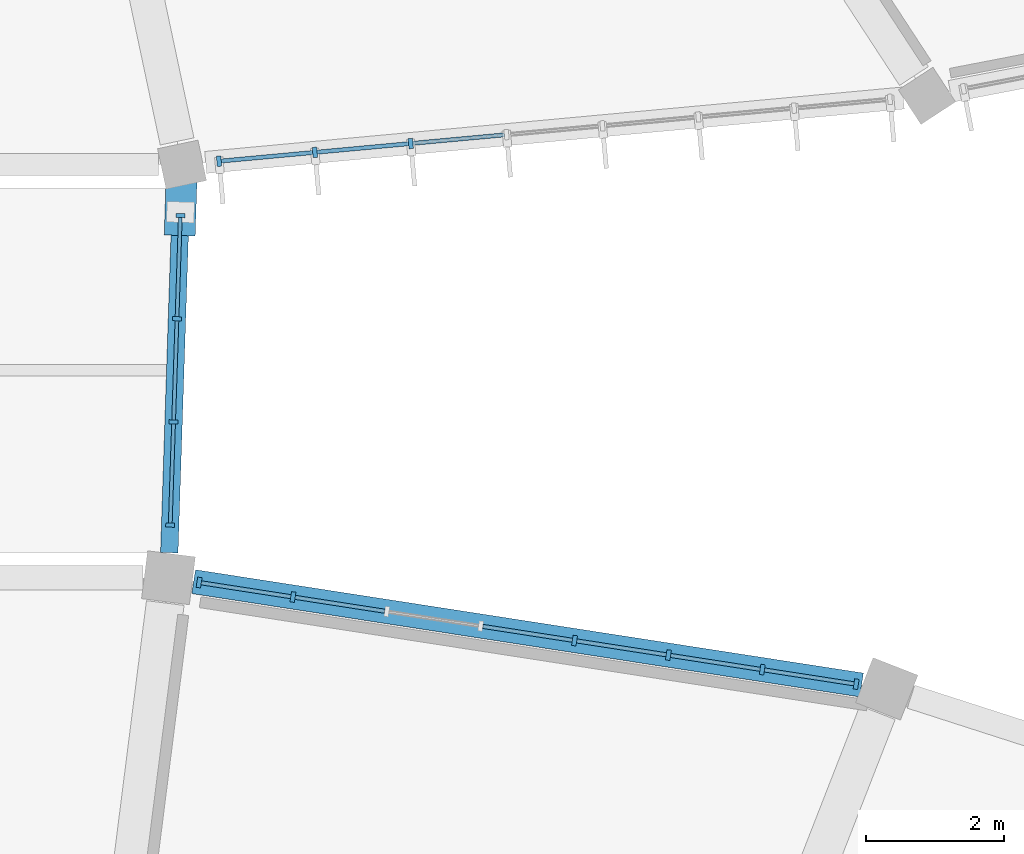
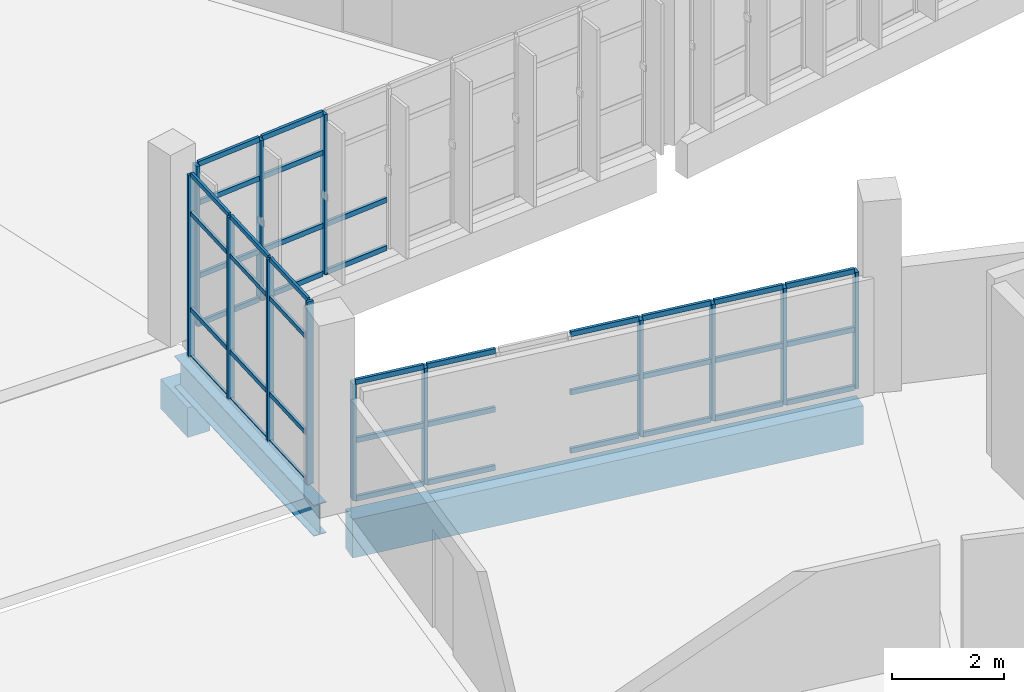
# One storey, part 34 of 142: 53 members, 3 beams, 3 elements without a shape of their own.
"""IFC4 building model written with IfcOpenShell, lengths in metres."""

import ifcopenshell
import ifcopenshell.guid

model = None  # the IFC model being written
_history = None  # IfcOwnerHistory: only IFC2X3 demands one
_inside = {}  # id of a spatial element -> (the spatial element, [elements in it])
_under = {}  # id of a project, library or spatial element -> (it, [spatial elements below it])
_declared = {}  # id of a project -> (the project, [libraries it declares])
_typed = {}  # id of a type object -> (the type object, [elements of that type])
_made_of = {}  # id of a material, layer set ... -> (it, [elements and type objects made of it])


def new_model(schema):
    """Start an empty IFC model of exactly this schema.

    Asked for "IFC4X3", IfcOpenShell would pick the latest addendum, in which some entities
    have other attributes; the version numbers below select the first issue.
    IFC2X3 requires an IfcOwnerHistory on every rooted entity: one is made here for all.
    """
    global model, _history
    if schema == "IFC4X3":
        model = ifcopenshell.file(schema_version=(4, 3, 0, 0))
    else:
        model = ifcopenshell.file(schema=schema)
    _inside.clear()
    _under.clear()
    _declared.clear()
    _typed.clear()
    _made_of.clear()
    _history = None
    if model.schema == "IFC2X3":
        org = make("IfcOrganization", Name="unknown")
        user = make(
            "IfcPersonAndOrganization",
            ThePerson=make("IfcPerson", FamilyName="unknown"),
            TheOrganization=org,
        )
        app = make(
            "IfcApplication",
            ApplicationDeveloper=org,
            Version="unknown",
            ApplicationFullName="unknown",
            ApplicationIdentifier="unknown",
        )
        _history = make(
            "IfcOwnerHistory",
            OwningUser=user,
            OwningApplication=app,
            ChangeAction="ADDED",
            CreationDate=0,
        )
    return model


def make(cls, **values):
    """One entity of the class cls with the attributes given. An attribute that is None is left unset."""
    return model.create_entity(
        cls, **{name: value for name, value in values.items() if value is not None}
    )


def rooted(cls, **values):
    """An entity with a GlobalId (a new one), such as an element, a storey or a relation."""
    return make(cls, GlobalId=ifcopenshell.guid.new(), OwnerHistory=_history, **values)


def si_unit(unit_type, name, prefix=None):
    """IfcSIUnit, for example si_unit("LENGTHUNIT", "METRE", prefix="MILLI")."""
    return make("IfcSIUnit", UnitType=unit_type, Prefix=prefix, Name=name)


def assignment(units):
    """IfcUnitAssignment: the units of a project."""
    return None if units is None else make("IfcUnitAssignment", Units=units)


def point(xyz):
    """IfcCartesianPoint."""
    return None if xyz is None else make("IfcCartesianPoint", Coordinates=xyz)


def direction(xyz):
    """IfcDirection."""
    return None if xyz is None else make("IfcDirection", DirectionRatios=xyz)


def frame(location, z_axis=None, x_axis=None):
    """IfcAxis2Placement3D, a coordinate frame: its origin and axes. An axis left out is left unset."""
    return make(
        "IfcAxis2Placement3D",
        Location=point(location),
        Axis=direction(z_axis),
        RefDirection=direction(x_axis),
    )


def frame_2d(location, x_axis=None):
    """IfcAxis2Placement2D, a coordinate frame in the plane: its origin and x axis."""
    return make(
        "IfcAxis2Placement2D", Location=point(location), RefDirection=direction(x_axis)
    )


def origin():
    """The frame at (0, 0, 0) with its axes left unset."""
    return frame((0.0, 0.0, 0.0))


def origin_2d():
    """The frame at (0, 0) in the plane with its x axis left unset."""
    return frame_2d((0.0, 0.0))


def place(relative_to, where):
    """IfcLocalPlacement: puts the frame where relative to a parent placement (None: the world)."""
    return make(
        "IfcLocalPlacement", PlacementRelTo=relative_to, RelativePlacement=where
    )


def context(
    kind, dimensions, precision=None, world=None, true_north=None, identifier=None
):
    """IfcGeometricRepresentationContext, for example the 3D "Model" context."""
    return make(
        "IfcGeometricRepresentationContext",
        ContextIdentifier=identifier,
        ContextType=kind,
        CoordinateSpaceDimension=dimensions,
        Precision=precision,
        WorldCoordinateSystem=world,
        TrueNorth=true_north,
    )


def subcontext(parent, identifier, kind, view, scale=None):
    """IfcGeometricRepresentationSubContext, for example "Body" below "Model"."""
    return make(
        "IfcGeometricRepresentationSubContext",
        ContextIdentifier=identifier,
        ContextType=kind,
        ParentContext=parent,
        TargetScale=scale,
        TargetView=view,
    )


def project(units=None, contexts=None):
    """IfcProject with its units and contexts."""
    return rooted(
        "IfcProject",
        Name="project",
        RepresentationContexts=contexts,
        UnitsInContext=assignment(units),
    )


def spatial(cls, under=None, at=None, **own):
    """A site, building, storey or space (cls), placed at a placement, below another one or the project."""
    s = rooted(cls, ObjectPlacement=at, **own)
    if under is not None:
        _under.setdefault(under.id(), (under, []))[1].append(s)
    return s


def profile(cls, at=None, kind="AREA", **sizes):
    """A parametric profile (cls). Its sizes go by their IFC names, for example OverallWidth=200.0."""
    return make(cls, ProfileType=kind, Position=at, **sizes)


def rectangle(**sizes):
    """IfcRectangleProfileDef."""
    return profile("IfcRectangleProfileDef", **sizes)


def i_section(**sizes):
    """IfcIShapeProfileDef."""
    return profile("IfcIShapeProfileDef", **sizes)


def extrude(swept, where, along, depth):
    """IfcExtrudedAreaSolid: the profile swept, set in the frame where, extruded along a direction by depth."""
    return make(
        "IfcExtrudedAreaSolid",
        SweptArea=swept,
        Position=where,
        ExtrudedDirection=direction(along),
        Depth=depth,
    )


def shape(context_of_items, identifier, shape_type, items):
    """IfcShapeRepresentation: the items that make up one representation, for example the "Body"."""
    return make(
        "IfcShapeRepresentation",
        ContextOfItems=context_of_items,
        RepresentationIdentifier=identifier,
        RepresentationType=shape_type,
        Items=items,
    )


def material(Name=None, Category=None):
    """IfcMaterial."""
    return make("IfcMaterial", Name=Name, Category=Category)


def layer(
    of_material, thickness, ventilated=None, Name=None, Category=None, Priority=None
):
    """IfcMaterialLayer: one layer of a wall or slab, of a material (None: an air gap)."""
    return make(
        "IfcMaterialLayer",
        Material=of_material,
        LayerThickness=thickness,
        IsVentilated=ventilated,
        Name=Name,
        Category=Category,
        Priority=Priority,
    )


def layer_set(layers, Name=None):
    """IfcMaterialLayerSet."""
    return make("IfcMaterialLayerSet", MaterialLayers=layers, LayerSetName=Name)


def material_profile(
    of_material, cross_section, Name=None, Category=None, Priority=None
):
    """IfcMaterialProfile: a cross section and its material."""
    return make(
        "IfcMaterialProfile",
        Name=Name,
        Material=of_material,
        Profile=cross_section,
        Priority=Priority,
        Category=Category,
    )


def profile_set(profiles, Name=None, composite=None):
    """IfcMaterialProfileSet."""
    return make(
        "IfcMaterialProfileSet",
        Name=Name,
        MaterialProfiles=profiles,
        CompositeProfile=composite,
    )


def made_of(thing, what):
    """Note that an element or type object is made of a material, layer set ...; save() writes the relation."""
    if what is not None:
        _made_of.setdefault(what.id(), (what, []))[1].append(thing)
    return thing


def type_object(cls, material=None, **own):
    """A type object (cls), such as IfcWallType, which elements share."""
    return made_of(rooted(cls, **own), material)


def element(
    cls,
    number,
    at=None,
    inside=None,
    cuts=None,
    type_object=None,
    material=None,
    context=None,
    identifier="Body",
    shape_type=None,
    held_by="IfcProductDefinitionShape",
    body=None,
    shapes=None,
    **own,
):
    """One element of the class cls, such as IfcWall. Its Tag is "e" and its number.

    at: its placement. inside: the storey or other place that contains it. cuts: it is an
    opening in that element (IfcRelVoidsElement). A single representation is given by context,
    identifier, shape_type and body (its items); several are given by shapes. held_by: the class
    of the entity that holds the representations. save() writes the other relations.
    """
    e = rooted(cls, Tag="e%d" % number, ObjectPlacement=at, **own)
    if body is not None:
        shapes = [shape(context, identifier, shape_type, body)]
    if shapes is not None:
        e.Representation = make(held_by, Representations=shapes)
    if inside is not None:
        _inside.setdefault(inside.id(), (inside, []))[1].append(e)
    if cuts is not None:
        rooted(
            "IfcRelVoidsElement", RelatingBuildingElement=cuts, RelatedOpeningElement=e
        )
    if type_object is not None:
        _typed.setdefault(type_object.id(), (type_object, []))[1].append(e)
    return made_of(e, material)


def aggregate(whole, parts):
    """IfcRelAggregates: a whole, such as a stair, and the parts it consists of."""
    return rooted("IfcRelAggregates", RelatingObject=whole, RelatedObjects=parts)


def save(model, path):
    """Write the relations noted so far, then the file.

    IfcRelAggregates (storeys below a building ...), IfcRelContainedInSpatialStructure (elements
    in a storey), IfcRelDefinesByType, IfcRelAssociatesMaterial and IfcRelDeclares: one each for
    every whole, place, type object, material and project.
    """
    for whole, parts in _under.values():
        aggregate(whole, parts)
    for where, things in _inside.values():
        rooted(
            "IfcRelContainedInSpatialStructure",
            RelatedElements=things,
            RelatingStructure=where,
        )
    for kind, things in _typed.values():
        rooted("IfcRelDefinesByType", RelatedObjects=things, RelatingType=kind)
    for what, things in _made_of.values():
        rooted("IfcRelAssociatesMaterial", RelatedObjects=things, RelatingMaterial=what)
    for by, libraries in _declared.values():
        rooted("IfcRelDeclares", RelatingContext=by, RelatedDefinitions=libraries)
    model.write(path)


model = new_model("IFC4")

# Units and contexts
model_context = context("Model", 3, precision=1e-05, world=origin(), true_north=direction((0.0, 1.0)))
body_context = subcontext(model_context, "Body", "Model", "MODEL_VIEW")
ifc_project = project(units=[si_unit("LENGTHUNIT", "METRE"), si_unit("AREAUNIT", "SQUARE_METRE"), si_unit("VOLUMEUNIT", "CUBIC_METRE"), si_unit("PLANEANGLEUNIT", "RADIAN"), si_unit("MASSUNIT", "GRAM", prefix="KILO")], contexts=[model_context])

# Site, building, storey
site_placement = place(None, origin())
site = spatial("IfcSite", under=ifc_project, at=site_placement, CompositionType="ELEMENT")
building_placement = place(site_placement, origin())
building = spatial("IfcBuilding", under=site, at=building_placement, Name="Corvandel Quay Wholesale Market", CompositionType="ELEMENT")
storey_placement = place(building_placement, frame((0.0, 0.0, 10.800048828125)))
storey = spatial("IfcBuildingStorey", under=building, at=storey_placement, Name="L02", CompositionType="ELEMENT", Elevation=10.800048828125)

# Beam
ifc_material_1 = material(Name="Steel A992 Grade 50", Category="steel")
ifc_material_profile_1 = material_profile(ifc_material_1, i_section(OverallWidth=0.25390625, OverallDepth=0.68310546875, WebThickness=0.012451171875, FlangeThickness=0.018798828125, at=origin_2d()), Name="W27X94")
ifc_profile_set_1 = profile_set([ifc_material_profile_1], Name="Steel A992 Grade 50")
beam_type_1 = type_object("IfcBeamType", Name="Bridge Link Steel Girder SG01 W27X94", PredefinedType="USERDEFINED", material=ifc_profile_set_1)
beam_1_placement = place(storey_placement, frame((119.3310546875, 84.36474609375, -0.5615234375), z_axis=(0.032808515394, 0.999461655752, 0.0), x_axis=(-0.999461655752, 0.032808515394, 0.0)))
element("IfcBeam", 1, at=beam_1_placement, inside=storey, type_object=beam_type_1, Name="Beam BM-1769", ObjectType="GIRDER", PredefinedType="USERDEFINED", context=body_context, shape_type="SweptSolid", body=[
    extrude(i_section(OverallWidth=0.25390625, OverallDepth=0.68310546875, WebThickness=0.012451171875, FlangeThickness=0.018798828125, at=origin_2d()), origin(), (0.0, 0.0, 1.0), 5.29833984375),
])

# Curtain wall, members
ifc_material_2 = material(Name="Bronze anodised aluminium and low-E insulated glazing", Category="aluminium")
ifc_layer_1 = layer(ifc_material_2, 0.197998046875)
ifc_layer_set_1 = layer_set([ifc_layer_1], Name="Bronze anodised aluminium and low-E insulated glazing")
curtain_wall_type_1 = type_object("IfcCurtainWallType", Name="Stick Curtain Wall System CW24 H5160", PredefinedType="NOTDEFINED", material=ifc_layer_set_1)
curtain_wall_1_placement = place(storey_placement, origin())
curtain_wall_1 = element("IfcCurtainWall", 2, at=curtain_wall_1_placement, inside=storey, type_object=curtain_wall_type_1, Name="Curtain Wall CW-0171", PredefinedType="NOTDEFINED")
ifc_material_3 = material(Name="Anodised aluminium 6063-T6", Category="aluminium")
ifc_material_profile_2 = material_profile(ifc_material_3, rectangle(XDim=0.06005859375, YDim=0.1298828125, at=origin_2d()), Name="ALU-MUL-60x130")
ifc_profile_set_2 = profile_set([ifc_material_profile_2], Name="Anodised aluminium 6063-T6")
member_type_1 = type_object("IfcMemberType", Name="Clerestory Mullion ML03 60x130", PredefinedType="MULLION", material=ifc_profile_set_2)
member_1_placement = place(storey_placement, frame((119.343994140625, 84.7646484375, -0.030029296875), z_axis=(0.0, 0.0, 1.0), x_axis=(0.032806302436, 0.999461728392, 0.0)))
member_1 = element("IfcMember", 3, at=member_1_placement, type_object=member_type_1, Name="Mullion CW-0171-M00", PredefinedType="MULLION", context=body_context, shape_type="SweptSolid", body=[
    extrude(rectangle(XDim=0.06005859375, YDim=0.1298828125, at=origin_2d()), origin(), (0.0, 0.0, 1.0), 4.0),
])
member_2_placement = place(storey_placement, frame((119.393310546875, 86.26318359375, -0.030029296875), z_axis=(0.0, 0.0, 1.0), x_axis=(0.032806302436, 0.999461728392, 0.0)))
member_2 = element("IfcMember", 4, at=member_2_placement, type_object=member_type_1, Name="Mullion CW-0171-M01", PredefinedType="MULLION", context=body_context, shape_type="SweptSolid", body=[
    extrude(rectangle(XDim=0.06005859375, YDim=0.1298828125, at=origin_2d()), origin(), (0.0, 0.0, 1.0), 4.0),
])
member_3_placement = place(storey_placement, frame((119.4423828125, 87.76171875, -0.030029296875), z_axis=(0.0, 0.0, 1.0), x_axis=(0.032806302436, 0.999461728392, 0.0)))
member_3 = element("IfcMember", 5, at=member_3_placement, type_object=member_type_1, Name="Mullion CW-0171-M02", PredefinedType="MULLION", context=body_context, shape_type="SweptSolid", body=[
    extrude(rectangle(XDim=0.06005859375, YDim=0.1298828125, at=origin_2d()), origin(), (0.0, 0.0, 1.0), 4.0),
])
member_4_placement = place(storey_placement, frame((119.49169921875, 89.260498046875, -0.030029296875), z_axis=(0.0, 0.0, 1.0), x_axis=(0.032806302436, 0.999461728392, 0.0)))
member_4 = element("IfcMember", 6, at=member_4_placement, type_object=member_type_1, Name="Mullion CW-0171-M03", PredefinedType="MULLION", context=body_context, shape_type="SweptSolid", body=[
    extrude(rectangle(XDim=0.06005859375, YDim=0.1298828125, at=origin_2d()), origin(), (0.0, 0.0, 1.0), 4.0),
])
ifc_material_profile_3 = material_profile(ifc_material_3, rectangle(XDim=0.054931640625, YDim=0.094970703125, at=origin_2d()), Name="ALU-TRN-55x95")
ifc_profile_set_3 = profile_set([ifc_material_profile_3], Name="Anodised aluminium 6063-T6")
member_type_2 = type_object("IfcMemberType", Name="Clerestory Transom TR03 55x95", PredefinedType="USERDEFINED", material=ifc_profile_set_3)
member_5_placement = place(storey_placement, frame((119.34521484375, 84.794677734375, -0.030029296875), z_axis=(0.032738720515, 0.999463944412, 0.0), x_axis=(-0.999463944412, 0.032738720515, 0.0)))
member_5 = element("IfcMember", 7, at=member_5_placement, type_object=member_type_2, Name="Transom CW-0171-T00-0", ObjectType="TRANSOM", PredefinedType="USERDEFINED", context=body_context, shape_type="SweptSolid", body=[
    extrude(rectangle(XDim=0.054931640625, YDim=0.094970703125, at=origin_2d()), origin(), (0.0, 0.0, 1.0), 1.439208984375),
])
member_6_placement = place(storey_placement, frame((119.34521484375, 84.794677734375, 1.02001953125), z_axis=(0.032738720515, 0.999463944412, 0.0), x_axis=(-0.999463944412, 0.032738720515, 0.0)))
member_6 = element("IfcMember", 8, at=member_6_placement, type_object=member_type_2, Name="Transom CW-0171-T00-1", ObjectType="TRANSOM", PredefinedType="USERDEFINED", context=body_context, shape_type="SweptSolid", body=[
    extrude(rectangle(XDim=0.054931640625, YDim=0.094970703125, at=origin_2d()), origin(), (0.0, 0.0, 1.0), 1.439208984375),
])
member_7_placement = place(storey_placement, frame((119.34521484375, 84.794677734375, 3.119873046875), z_axis=(0.032738720515, 0.999463944412, 0.0), x_axis=(-0.999463944412, 0.032738720515, 0.0)))
member_7 = element("IfcMember", 9, at=member_7_placement, type_object=member_type_2, Name="Transom CW-0171-T00-2", ObjectType="TRANSOM", PredefinedType="USERDEFINED", context=body_context, shape_type="SweptSolid", body=[
    extrude(rectangle(XDim=0.054931640625, YDim=0.094970703125, at=origin_2d()), origin(), (0.0, 0.0, 1.0), 1.439208984375),
])
member_8_placement = place(storey_placement, frame((119.34521484375, 84.794677734375, 3.969970703125), z_axis=(0.032738720515, 0.999463944412, 0.0), x_axis=(-0.999463944412, 0.032738720515, 0.0)))
member_8 = element("IfcMember", 10, at=member_8_placement, type_object=member_type_2, Name="Transom CW-0171-T00-3", ObjectType="TRANSOM", PredefinedType="USERDEFINED", context=body_context, shape_type="SweptSolid", body=[
    extrude(rectangle(XDim=0.054931640625, YDim=0.094970703125, at=origin_2d()), origin(), (0.0, 0.0, 1.0), 1.439208984375),
])
member_9_placement = place(storey_placement, frame((119.394287109375, 86.293212890625, -0.030029296875), z_axis=(0.032738720515, 0.999463944412, 0.0), x_axis=(-0.999463944412, 0.032738720515, 0.0)))
member_9 = element("IfcMember", 11, at=member_9_placement, type_object=member_type_2, Name="Transom CW-0171-T01-0", ObjectType="TRANSOM", PredefinedType="USERDEFINED", context=body_context, shape_type="SweptSolid", body=[
    extrude(rectangle(XDim=0.054931640625, YDim=0.094970703125, at=origin_2d()), origin(), (0.0, 0.0, 1.0), 1.439208984375),
])
member_10_placement = place(storey_placement, frame((119.394287109375, 86.293212890625, 1.02001953125), z_axis=(0.032738720515, 0.999463944412, 0.0), x_axis=(-0.999463944412, 0.032738720515, 0.0)))
member_10 = element("IfcMember", 12, at=member_10_placement, type_object=member_type_2, Name="Transom CW-0171-T01-1", ObjectType="TRANSOM", PredefinedType="USERDEFINED", context=body_context, shape_type="SweptSolid", body=[
    extrude(rectangle(XDim=0.054931640625, YDim=0.094970703125, at=origin_2d()), origin(), (0.0, 0.0, 1.0), 1.439208984375),
])
member_11_placement = place(storey_placement, frame((119.394287109375, 86.293212890625, 3.119873046875), z_axis=(0.032738720515, 0.999463944412, 0.0), x_axis=(-0.999463944412, 0.032738720515, 0.0)))
member_11 = element("IfcMember", 13, at=member_11_placement, type_object=member_type_2, Name="Transom CW-0171-T01-2", ObjectType="TRANSOM", PredefinedType="USERDEFINED", context=body_context, shape_type="SweptSolid", body=[
    extrude(rectangle(XDim=0.054931640625, YDim=0.094970703125, at=origin_2d()), origin(), (0.0, 0.0, 1.0), 1.439208984375),
])
member_12_placement = place(storey_placement, frame((119.394287109375, 86.293212890625, 3.969970703125), z_axis=(0.032738720515, 0.999463944412, 0.0), x_axis=(-0.999463944412, 0.032738720515, 0.0)))
member_12 = element("IfcMember", 14, at=member_12_placement, type_object=member_type_2, Name="Transom CW-0171-T01-3", ObjectType="TRANSOM", PredefinedType="USERDEFINED", context=body_context, shape_type="SweptSolid", body=[
    extrude(rectangle(XDim=0.054931640625, YDim=0.094970703125, at=origin_2d()), origin(), (0.0, 0.0, 1.0), 1.439208984375),
])
member_13_placement = place(storey_placement, frame((119.443603515625, 87.791748046875, -0.030029296875), z_axis=(0.032733170941, 0.99946412618, 0.0), x_axis=(-0.99946412618, 0.032733170941, 0.0)))
member_13 = element("IfcMember", 15, at=member_13_placement, type_object=member_type_2, Name="Transom CW-0171-T02-0", ObjectType="TRANSOM", PredefinedType="USERDEFINED", context=body_context, shape_type="SweptSolid", body=[
    extrude(rectangle(XDim=0.054931640625, YDim=0.094970703125, at=origin_2d()), origin(), (0.0, 0.0, 1.0), 1.439453125),
])
member_14_placement = place(storey_placement, frame((119.443603515625, 87.791748046875, 1.02001953125), z_axis=(0.032733170941, 0.99946412618, 0.0), x_axis=(-0.99946412618, 0.032733170941, 0.0)))
member_14 = element("IfcMember", 16, at=member_14_placement, type_object=member_type_2, Name="Transom CW-0171-T02-1", ObjectType="TRANSOM", PredefinedType="USERDEFINED", context=body_context, shape_type="SweptSolid", body=[
    extrude(rectangle(XDim=0.054931640625, YDim=0.094970703125, at=origin_2d()), origin(), (0.0, 0.0, 1.0), 1.439453125),
])
member_15_placement = place(storey_placement, frame((119.443603515625, 87.791748046875, 3.119873046875), z_axis=(0.032733170941, 0.99946412618, 0.0), x_axis=(-0.99946412618, 0.032733170941, 0.0)))
member_15 = element("IfcMember", 17, at=member_15_placement, type_object=member_type_2, Name="Transom CW-0171-T02-2", ObjectType="TRANSOM", PredefinedType="USERDEFINED", context=body_context, shape_type="SweptSolid", body=[
    extrude(rectangle(XDim=0.054931640625, YDim=0.094970703125, at=origin_2d()), origin(), (0.0, 0.0, 1.0), 1.439453125),
])
member_16_placement = place(storey_placement, frame((119.443603515625, 87.791748046875, 3.969970703125), z_axis=(0.032733170941, 0.99946412618, 0.0), x_axis=(-0.99946412618, 0.032733170941, 0.0)))
member_16 = element("IfcMember", 18, at=member_16_placement, type_object=member_type_2, Name="Transom CW-0171-T02-3", ObjectType="TRANSOM", PredefinedType="USERDEFINED", context=body_context, shape_type="SweptSolid", body=[
    extrude(rectangle(XDim=0.054931640625, YDim=0.094970703125, at=origin_2d()), origin(), (0.0, 0.0, 1.0), 1.439453125),
])
aggregate(curtain_wall_1, [member_1, member_2, member_3, member_4, member_5, member_6, member_7, member_8, member_9, member_10, member_11, member_12, member_13, member_14, member_15, member_16])

ifc_layer_2 = layer(ifc_material_2, 0.14990234375)
ifc_layer_set_2 = layer_set([ifc_layer_2], Name="Bronze anodised aluminium and low-E insulated glazing")
curtain_wall_type_2 = type_object("IfcCurtainWallType", Name="Stick Curtain Wall System CW15 H4350", PredefinedType="NOTDEFINED", material=ifc_layer_set_2)
curtain_wall_2_placement = place(storey_placement, origin())
curtain_wall_2 = element("IfcCurtainWall", 19, at=curtain_wall_2_placement, inside=storey, type_object=curtain_wall_type_2, Name="Curtain Wall CW-0019", PredefinedType="NOTDEFINED")
ifc_material_profile_4 = material_profile(ifc_material_3, rectangle(XDim=0.06494140625, YDim=0.14990234375, at=origin_2d()), Name="ALU-MUL-65x150")
ifc_profile_set_4 = profile_set([ifc_material_profile_4], Name="Anodised aluminium 6063-T6")
member_type_3 = type_object("IfcMemberType", Name="Curtain Wall Mullion ML02 65x150", PredefinedType="MULLION", material=ifc_profile_set_4)
member_17_placement = place(storey_placement, frame((129.306396484375, 82.454833984375, 0.0), z_axis=(0.0, 0.0, 1.0), x_axis=(-0.98825506746, 0.152813355565, 0.0)))
member_17 = element("IfcMember", 20, at=member_17_placement, type_object=member_type_3, Name="Mullion CW-0019-M00", PredefinedType="MULLION", context=body_context, shape_type="SweptSolid", body=[
    extrude(rectangle(XDim=0.06494140625, YDim=0.14990234375, at=origin_2d()), origin(), (0.0, 0.0, 1.0), 2.550048828125),
])
member_18_placement = place(storey_placement, frame((127.943115234375, 82.665771484375, 0.0), z_axis=(0.0, 0.0, 1.0), x_axis=(-0.98825506746, 0.152813355565, 0.0)))
member_18 = element("IfcMember", 21, at=member_18_placement, type_object=member_type_3, Name="Mullion CW-0019-M01", PredefinedType="MULLION", context=body_context, shape_type="SweptSolid", body=[
    extrude(rectangle(XDim=0.06494140625, YDim=0.14990234375, at=origin_2d()), origin(), (0.0, 0.0, 1.0), 2.550048828125),
])
member_19_placement = place(storey_placement, frame((126.579833984375, 82.876708984375, 0.0), z_axis=(0.0, 0.0, 1.0), x_axis=(-0.98825506746, 0.152813355565, 0.0)))
member_19 = element("IfcMember", 22, at=member_19_placement, type_object=member_type_3, Name="Mullion CW-0019-M02", PredefinedType="MULLION", context=body_context, shape_type="SweptSolid", body=[
    extrude(rectangle(XDim=0.06494140625, YDim=0.14990234375, at=origin_2d()), origin(), (0.0, 0.0, 1.0), 2.550048828125),
])
member_20_placement = place(storey_placement, frame((125.216552734375, 83.08740234375, 0.0), z_axis=(0.0, 0.0, 1.0), x_axis=(-0.98825506746, 0.152813355565, 0.0)))
member_20 = element("IfcMember", 23, at=member_20_placement, type_object=member_type_3, Name="Mullion CW-0019-M03", PredefinedType="MULLION", context=body_context, shape_type="SweptSolid", body=[
    extrude(rectangle(XDim=0.06494140625, YDim=0.14990234375, at=origin_2d()), origin(), (0.0, 0.0, 1.0), 2.550048828125),
])
member_21_placement = place(storey_placement, frame((121.126953125, 83.72021484375, 0.0), z_axis=(0.0, 0.0, 1.0), x_axis=(-0.98825506746, 0.152813355565, 0.0)))
member_21 = element("IfcMember", 24, at=member_21_placement, type_object=member_type_3, Name="Mullion CW-0019-M06", PredefinedType="MULLION", context=body_context, shape_type="SweptSolid", body=[
    extrude(rectangle(XDim=0.06494140625, YDim=0.14990234375, at=origin_2d()), origin(), (0.0, 0.0, 1.0), 2.550048828125),
])
member_22_placement = place(storey_placement, frame((119.763671875, 83.93115234375, 0.0), z_axis=(0.0, 0.0, 1.0), x_axis=(-0.98825506746, 0.152813355565, 0.0)))
member_22 = element("IfcMember", 25, at=member_22_placement, type_object=member_type_3, Name="Mullion CW-0019-M07", PredefinedType="MULLION", context=body_context, shape_type="SweptSolid", body=[
    extrude(rectangle(XDim=0.06494140625, YDim=0.14990234375, at=origin_2d()), origin(), (0.0, 0.0, 1.0), 2.550048828125),
])

ifc_layer_3 = layer(ifc_material_2, 0.174072265625)
ifc_layer_set_3 = layer_set([ifc_layer_3], Name="Bronze anodised aluminium and low-E insulated glazing")
curtain_wall_type_3 = type_object("IfcCurtainWallType", Name="Stick Curtain Wall System CW07 H3630", PredefinedType="NOTDEFINED", material=ifc_layer_set_3)
curtain_wall_3_placement = place(storey_placement, origin())
curtain_wall_3 = element("IfcCurtainWall", 26, at=curtain_wall_3_placement, inside=storey, type_object=curtain_wall_type_3, Name="Curtain Wall CW-0117", PredefinedType="NOTDEFINED")
member_23_placement = place(storey_placement, frame((120.0537109375, 90.0498046875, 0.0), z_axis=(0.0, 0.0, 1.0), x_axis=(0.995756880939, 0.092023008338, 0.0)))
member_23 = element("IfcMember", 27, at=member_23_placement, type_object=member_type_3, Name="Mullion CW-0117-M00", PredefinedType="MULLION", context=body_context, shape_type="SweptSolid", body=[
    extrude(rectangle(XDim=0.06494140625, YDim=0.14990234375, at=origin_2d()), origin(), (0.0, 0.0, 1.0), 3.5),
])
member_24_placement = place(storey_placement, frame((121.445556640625, 90.17822265625, 0.0), z_axis=(0.0, 0.0, 1.0), x_axis=(0.995756880939, 0.092023008338, 0.0)))
member_24 = element("IfcMember", 28, at=member_24_placement, type_object=member_type_3, Name="Mullion CW-0117-M01", PredefinedType="MULLION", context=body_context, shape_type="SweptSolid", body=[
    extrude(rectangle(XDim=0.06494140625, YDim=0.14990234375, at=origin_2d()), origin(), (0.0, 0.0, 1.0), 3.5),
])
member_25_placement = place(storey_placement, frame((122.837646484375, 90.306640625, 0.0), z_axis=(0.0, 0.0, 1.0), x_axis=(0.995756880939, 0.092023008338, 0.0)))
member_25 = element("IfcMember", 29, at=member_25_placement, type_object=member_type_3, Name="Mullion CW-0117-M02", PredefinedType="MULLION", context=body_context, shape_type="SweptSolid", body=[
    extrude(rectangle(XDim=0.06494140625, YDim=0.14990234375, at=origin_2d()), origin(), (0.0, 0.0, 1.0), 3.5),
])

# Member
ifc_material_profile_5 = material_profile(ifc_material_3, rectangle(XDim=0.06005859375, YDim=0.110107421875, at=origin_2d()), Name="ALU-TRN-60x110")
ifc_profile_set_5 = profile_set([ifc_material_profile_5], Name="Anodised aluminium 6063-T6")
member_type_4 = type_object("IfcMemberType", Name="Curtain Wall Transom TR02 60x110", PredefinedType="USERDEFINED", material=ifc_profile_set_5)
member_26_placement = place(storey_placement, frame((129.274169921875, 82.459716796875, 0.0), z_axis=(-0.988248991474, 0.152852644237, 0.0), x_axis=(-0.152852644237, -0.988248991474, 0.0)))
member_26 = element("IfcMember", 30, at=member_26_placement, type_object=member_type_4, Name="Transom CW-0019-T00-0", ObjectType="TRANSOM", PredefinedType="USERDEFINED", context=body_context, shape_type="SweptSolid", body=[
    extrude(rectangle(XDim=0.06005859375, YDim=0.110107421875, at=origin_2d()), origin(), (0.0, 0.0, 1.0), 1.314453125),
])

member_27_placement = place(storey_placement, frame((129.274169921875, 82.459716796875, 1.27490234375), z_axis=(-0.988248991474, 0.152852644237, 0.0), x_axis=(-0.152852644237, -0.988248991474, 0.0)))
member_27 = element("IfcMember", 31, at=member_27_placement, type_object=member_type_4, Name="Transom CW-0019-T00-1", ObjectType="TRANSOM", PredefinedType="USERDEFINED", context=body_context, shape_type="SweptSolid", body=[
    extrude(rectangle(XDim=0.06005859375, YDim=0.110107421875, at=origin_2d()), origin(), (0.0, 0.0, 1.0), 1.314453125),
])

member_28_placement = place(storey_placement, frame((129.274169921875, 82.459716796875, 2.550048828125), z_axis=(-0.988248991474, 0.152852644237, 0.0), x_axis=(-0.152852644237, -0.988248991474, 0.0)))
member_28 = element("IfcMember", 32, at=member_28_placement, type_object=member_type_4, Name="Transom CW-0019-T00-2", ObjectType="TRANSOM", PredefinedType="USERDEFINED", context=body_context, shape_type="SweptSolid", body=[
    extrude(rectangle(XDim=0.06005859375, YDim=0.110107421875, at=origin_2d()), origin(), (0.0, 0.0, 1.0), 1.314453125),
])

member_29_placement = place(storey_placement, frame((127.910888671875, 82.670654296875, 0.0), z_axis=(-0.988244650986, 0.152880704466, 0.0), x_axis=(-0.152880704466, -0.988244650986, 0.0)))
member_29 = element("IfcMember", 33, at=member_29_placement, type_object=member_type_4, Name="Transom CW-0019-T01-0", ObjectType="TRANSOM", PredefinedType="USERDEFINED", context=body_context, shape_type="SweptSolid", body=[
    extrude(rectangle(XDim=0.06005859375, YDim=0.110107421875, at=origin_2d()), origin(), (0.0, 0.0, 1.0), 1.314208984375),
])

member_30_placement = place(storey_placement, frame((127.910888671875, 82.670654296875, 1.27490234375), z_axis=(-0.988244650986, 0.152880704466, 0.0), x_axis=(-0.152880704466, -0.988244650986, 0.0)))
member_30 = element("IfcMember", 34, at=member_30_placement, type_object=member_type_4, Name="Transom CW-0019-T01-1", ObjectType="TRANSOM", PredefinedType="USERDEFINED", context=body_context, shape_type="SweptSolid", body=[
    extrude(rectangle(XDim=0.06005859375, YDim=0.110107421875, at=origin_2d()), origin(), (0.0, 0.0, 1.0), 1.314208984375),
])

member_31_placement = place(storey_placement, frame((127.910888671875, 82.670654296875, 2.550048828125), z_axis=(-0.988244650986, 0.152880704466, 0.0), x_axis=(-0.152880704466, -0.988244650986, 0.0)))
member_31 = element("IfcMember", 35, at=member_31_placement, type_object=member_type_4, Name="Transom CW-0019-T01-2", ObjectType="TRANSOM", PredefinedType="USERDEFINED", context=body_context, shape_type="SweptSolid", body=[
    extrude(rectangle(XDim=0.06005859375, YDim=0.110107421875, at=origin_2d()), origin(), (0.0, 0.0, 1.0), 1.314208984375),
])

member_32_placement = place(storey_placement, frame((126.547607421875, 82.881591796875, 0.0), z_axis=(-0.988244650986, 0.152880704466, 0.0), x_axis=(-0.152880704466, -0.988244650986, 0.0)))
member_32 = element("IfcMember", 36, at=member_32_placement, type_object=member_type_4, Name="Transom CW-0019-T02-0", ObjectType="TRANSOM", PredefinedType="USERDEFINED", context=body_context, shape_type="SweptSolid", body=[
    extrude(rectangle(XDim=0.06005859375, YDim=0.110107421875, at=origin_2d()), origin(), (0.0, 0.0, 1.0), 1.314208984375),
])

member_33_placement = place(storey_placement, frame((126.547607421875, 82.881591796875, 1.27490234375), z_axis=(-0.988244650986, 0.152880704466, 0.0), x_axis=(-0.152880704466, -0.988244650986, 0.0)))
member_33 = element("IfcMember", 37, at=member_33_placement, type_object=member_type_4, Name="Transom CW-0019-T02-1", ObjectType="TRANSOM", PredefinedType="USERDEFINED", context=body_context, shape_type="SweptSolid", body=[
    extrude(rectangle(XDim=0.06005859375, YDim=0.110107421875, at=origin_2d()), origin(), (0.0, 0.0, 1.0), 1.314208984375),
])

member_34_placement = place(storey_placement, frame((126.547607421875, 82.881591796875, 2.550048828125), z_axis=(-0.988244650986, 0.152880704466, 0.0), x_axis=(-0.152880704466, -0.988244650986, 0.0)))
member_34 = element("IfcMember", 38, at=member_34_placement, type_object=member_type_4, Name="Transom CW-0019-T02-2", ObjectType="TRANSOM", PredefinedType="USERDEFINED", context=body_context, shape_type="SweptSolid", body=[
    extrude(rectangle(XDim=0.06005859375, YDim=0.110107421875, at=origin_2d()), origin(), (0.0, 0.0, 1.0), 1.314208984375),
])

member_35_placement = place(storey_placement, frame((125.1845703125, 83.092529296875, 0.0), z_axis=(-0.988248991474, 0.152852644237, 0.0), x_axis=(-0.152852644237, -0.988248991474, 0.0)))
member_35 = element("IfcMember", 39, at=member_35_placement, type_object=member_type_4, Name="Transom CW-0019-T03-0", ObjectType="TRANSOM", PredefinedType="USERDEFINED", context=body_context, shape_type="SweptSolid", body=[
    extrude(rectangle(XDim=0.06005859375, YDim=0.110107421875, at=origin_2d()), origin(), (0.0, 0.0, 1.0), 1.314453125),
])

member_36_placement = place(storey_placement, frame((125.1845703125, 83.092529296875, 1.27490234375), z_axis=(-0.988248991474, 0.152852644237, 0.0), x_axis=(-0.152852644237, -0.988248991474, 0.0)))
member_36 = element("IfcMember", 40, at=member_36_placement, type_object=member_type_4, Name="Transom CW-0019-T03-1", ObjectType="TRANSOM", PredefinedType="USERDEFINED", context=body_context, shape_type="SweptSolid", body=[
    extrude(rectangle(XDim=0.06005859375, YDim=0.110107421875, at=origin_2d()), origin(), (0.0, 0.0, 1.0), 1.314453125),
])

member_37_placement = place(storey_placement, frame((125.1845703125, 83.092529296875, 2.550048828125), z_axis=(-0.988248991474, 0.152852644237, 0.0), x_axis=(-0.152852644237, -0.988248991474, 0.0)))
member_37 = element("IfcMember", 41, at=member_37_placement, type_object=member_type_4, Name="Transom CW-0019-T03-2", ObjectType="TRANSOM", PredefinedType="USERDEFINED", context=body_context, shape_type="SweptSolid", body=[
    extrude(rectangle(XDim=0.06005859375, YDim=0.110107421875, at=origin_2d()), origin(), (0.0, 0.0, 1.0), 1.314453125),
])

member_38_placement = place(storey_placement, frame((122.4580078125, 83.514404296875, 0.0), z_axis=(-0.988248991474, 0.152852644237, 0.0), x_axis=(-0.152852644237, -0.988248991474, 0.0)))
member_38 = element("IfcMember", 42, at=member_38_placement, type_object=member_type_4, Name="Transom CW-0019-T05-0", ObjectType="TRANSOM", PredefinedType="USERDEFINED", context=body_context, shape_type="SweptSolid", body=[
    extrude(rectangle(XDim=0.06005859375, YDim=0.110107421875, at=origin_2d()), origin(), (0.0, 0.0, 1.0), 1.314453125),
])

member_39_placement = place(storey_placement, frame((122.4580078125, 83.514404296875, 1.27490234375), z_axis=(-0.988248991474, 0.152852644237, 0.0), x_axis=(-0.152852644237, -0.988248991474, 0.0)))
member_39 = element("IfcMember", 43, at=member_39_placement, type_object=member_type_4, Name="Transom CW-0019-T05-1", ObjectType="TRANSOM", PredefinedType="USERDEFINED", context=body_context, shape_type="SweptSolid", body=[
    extrude(rectangle(XDim=0.06005859375, YDim=0.110107421875, at=origin_2d()), origin(), (0.0, 0.0, 1.0), 1.314453125),
])

member_40_placement = place(storey_placement, frame((122.4580078125, 83.514404296875, 2.550048828125), z_axis=(-0.988248991474, 0.152852644237, 0.0), x_axis=(-0.152852644237, -0.988248991474, 0.0)))
member_40 = element("IfcMember", 44, at=member_40_placement, type_object=member_type_4, Name="Transom CW-0019-T05-2", ObjectType="TRANSOM", PredefinedType="USERDEFINED", context=body_context, shape_type="SweptSolid", body=[
    extrude(rectangle(XDim=0.06005859375, YDim=0.110107421875, at=origin_2d()), origin(), (0.0, 0.0, 1.0), 1.314453125),
])

member_41_placement = place(storey_placement, frame((121.0947265625, 83.725341796875, 0.0), z_axis=(-0.988244650986, 0.152880704466, 0.0), x_axis=(-0.152880704466, -0.988244650986, 0.0)))
member_41 = element("IfcMember", 45, at=member_41_placement, type_object=member_type_4, Name="Transom CW-0019-T06-0", ObjectType="TRANSOM", PredefinedType="USERDEFINED", context=body_context, shape_type="SweptSolid", body=[
    extrude(rectangle(XDim=0.06005859375, YDim=0.110107421875, at=origin_2d()), origin(), (0.0, 0.0, 1.0), 1.314208984375),
])

member_42_placement = place(storey_placement, frame((121.0947265625, 83.725341796875, 1.27490234375), z_axis=(-0.988244650986, 0.152880704466, 0.0), x_axis=(-0.152880704466, -0.988244650986, 0.0)))
member_42 = element("IfcMember", 46, at=member_42_placement, type_object=member_type_4, Name="Transom CW-0019-T06-1", ObjectType="TRANSOM", PredefinedType="USERDEFINED", context=body_context, shape_type="SweptSolid", body=[
    extrude(rectangle(XDim=0.06005859375, YDim=0.110107421875, at=origin_2d()), origin(), (0.0, 0.0, 1.0), 1.314208984375),
])

member_43_placement = place(storey_placement, frame((121.0947265625, 83.725341796875, 2.550048828125), z_axis=(-0.988244650986, 0.152880704466, 0.0), x_axis=(-0.152880704466, -0.988244650986, 0.0)))
member_43 = element("IfcMember", 47, at=member_43_placement, type_object=member_type_4, Name="Transom CW-0019-T06-2", ObjectType="TRANSOM", PredefinedType="USERDEFINED", context=body_context, shape_type="SweptSolid", body=[
    extrude(rectangle(XDim=0.06005859375, YDim=0.110107421875, at=origin_2d()), origin(), (0.0, 0.0, 1.0), 1.314208984375),
])

aggregate(curtain_wall_2, [member_17, member_18, member_19, member_20, member_21, member_22, member_26, member_27, member_28, member_29, member_30, member_31, member_32, member_33, member_34, member_35, member_36, member_37, member_38, member_39, member_40, member_41, member_42, member_43])

member_44_placement = place(storey_placement, frame((120.086181640625, 90.052734375, 0.0), z_axis=(0.99576306711, 0.091956044829, 0.0), x_axis=(-0.091956044829, 0.99576306711, 0.0)))
member_44 = element("IfcMember", 48, at=member_44_placement, type_object=member_type_4, Name="Transom CW-0117-T00-0", ObjectType="TRANSOM", PredefinedType="USERDEFINED", context=body_context, shape_type="SweptSolid", body=[
    extrude(rectangle(XDim=0.06005859375, YDim=0.110107421875, at=origin_2d()), origin(), (0.0, 0.0, 1.0), 1.332763671875),
])

member_45_placement = place(storey_placement, frame((120.086181640625, 90.052734375, 1.050048828125), z_axis=(0.99576306711, 0.091956044829, 0.0), x_axis=(-0.091956044829, 0.99576306711, 0.0)))
member_45 = element("IfcMember", 49, at=member_45_placement, type_object=member_type_4, Name="Transom CW-0117-T00-1", ObjectType="TRANSOM", PredefinedType="USERDEFINED", context=body_context, shape_type="SweptSolid", body=[
    extrude(rectangle(XDim=0.06005859375, YDim=0.110107421875, at=origin_2d()), origin(), (0.0, 0.0, 1.0), 1.332763671875),
])

member_46_placement = place(storey_placement, frame((120.086181640625, 90.052734375, 2.64990234375), z_axis=(0.99576306711, 0.091956044829, 0.0), x_axis=(-0.091956044829, 0.99576306711, 0.0)))
member_46 = element("IfcMember", 50, at=member_46_placement, type_object=member_type_4, Name="Transom CW-0117-T00-2", ObjectType="TRANSOM", PredefinedType="USERDEFINED", context=body_context, shape_type="SweptSolid", body=[
    extrude(rectangle(XDim=0.06005859375, YDim=0.110107421875, at=origin_2d()), origin(), (0.0, 0.0, 1.0), 1.332763671875),
])

member_47_placement = place(storey_placement, frame((120.086181640625, 90.052734375, 3.5), z_axis=(0.99576306711, 0.091956044829, 0.0), x_axis=(-0.091956044829, 0.99576306711, 0.0)))
member_47 = element("IfcMember", 51, at=member_47_placement, type_object=member_type_4, Name="Transom CW-0117-T00-3", ObjectType="TRANSOM", PredefinedType="USERDEFINED", context=body_context, shape_type="SweptSolid", body=[
    extrude(rectangle(XDim=0.06005859375, YDim=0.110107421875, at=origin_2d()), origin(), (0.0, 0.0, 1.0), 1.332763671875),
])

member_48_placement = place(storey_placement, frame((121.47802734375, 90.18115234375, 0.0), z_axis=(0.99576306711, 0.091956044829, 0.0), x_axis=(-0.091956044829, 0.99576306711, 0.0)))
member_48 = element("IfcMember", 52, at=member_48_placement, type_object=member_type_4, Name="Transom CW-0117-T01-0", ObjectType="TRANSOM", PredefinedType="USERDEFINED", context=body_context, shape_type="SweptSolid", body=[
    extrude(rectangle(XDim=0.06005859375, YDim=0.110107421875, at=origin_2d()), origin(), (0.0, 0.0, 1.0), 1.332763671875),
])

member_49_placement = place(storey_placement, frame((121.47802734375, 90.18115234375, 1.050048828125), z_axis=(0.99576306711, 0.091956044829, 0.0), x_axis=(-0.091956044829, 0.99576306711, 0.0)))
member_49 = element("IfcMember", 53, at=member_49_placement, type_object=member_type_4, Name="Transom CW-0117-T01-1", ObjectType="TRANSOM", PredefinedType="USERDEFINED", context=body_context, shape_type="SweptSolid", body=[
    extrude(rectangle(XDim=0.06005859375, YDim=0.110107421875, at=origin_2d()), origin(), (0.0, 0.0, 1.0), 1.332763671875),
])

member_50_placement = place(storey_placement, frame((121.47802734375, 90.18115234375, 2.64990234375), z_axis=(0.99576306711, 0.091956044829, 0.0), x_axis=(-0.091956044829, 0.99576306711, 0.0)))
member_50 = element("IfcMember", 54, at=member_50_placement, type_object=member_type_4, Name="Transom CW-0117-T01-2", ObjectType="TRANSOM", PredefinedType="USERDEFINED", context=body_context, shape_type="SweptSolid", body=[
    extrude(rectangle(XDim=0.06005859375, YDim=0.110107421875, at=origin_2d()), origin(), (0.0, 0.0, 1.0), 1.332763671875),
])

member_51_placement = place(storey_placement, frame((121.47802734375, 90.18115234375, 3.5), z_axis=(0.99576306711, 0.091956044829, 0.0), x_axis=(-0.091956044829, 0.99576306711, 0.0)))
member_51 = element("IfcMember", 55, at=member_51_placement, type_object=member_type_4, Name="Transom CW-0117-T01-3", ObjectType="TRANSOM", PredefinedType="USERDEFINED", context=body_context, shape_type="SweptSolid", body=[
    extrude(rectangle(XDim=0.06005859375, YDim=0.110107421875, at=origin_2d()), origin(), (0.0, 0.0, 1.0), 1.332763671875),
])

member_52_placement = place(storey_placement, frame((122.869873046875, 90.309814453125, 0.0), z_axis=(0.995764615635, 0.091939274793, 0.0), x_axis=(-0.091939274793, 0.995764615635, 0.0)))
member_52 = element("IfcMember", 56, at=member_52_placement, type_object=member_type_4, Name="Transom CW-0117-T02-0", ObjectType="TRANSOM", PredefinedType="USERDEFINED", context=body_context, shape_type="SweptSolid", body=[
    extrude(rectangle(XDim=0.06005859375, YDim=0.110107421875, at=origin_2d()), origin(), (0.0, 0.0, 1.0), 1.3330078125),
])

member_53_placement = place(storey_placement, frame((122.869873046875, 90.309814453125, 1.050048828125), z_axis=(0.995764615635, 0.091939274793, 0.0), x_axis=(-0.091939274793, 0.995764615635, 0.0)))
member_53 = element("IfcMember", 57, at=member_53_placement, type_object=member_type_4, Name="Transom CW-0117-T02-1", ObjectType="TRANSOM", PredefinedType="USERDEFINED", context=body_context, shape_type="SweptSolid", body=[
    extrude(rectangle(XDim=0.06005859375, YDim=0.110107421875, at=origin_2d()), origin(), (0.0, 0.0, 1.0), 1.3330078125),
])

aggregate(curtain_wall_3, [member_23, member_24, member_25, member_44, member_45, member_46, member_47, member_48, member_49, member_50, member_51, member_52, member_53])

# Beams
ifc_material_4 = material(Name="Precast concrete C45/55", Category="concrete")
ifc_material_profile_6 = material_profile(ifc_material_4, rectangle(XDim=0.35009765625, YDim=0.85009765625, at=origin_2d()), Name="PC-SPN-350x850")
ifc_profile_set_6 = profile_set([ifc_material_profile_6], Name="Precast concrete C45/55")
beam_type_2 = type_object("IfcBeamType", Name="Perimeter Precast Spandrel SP01 350x850", PredefinedType="SPANDREL", material=ifc_profile_set_6)
beam_2_placement = place(storey_placement, frame((129.385498046875, 82.442626953125, -0.7451171875), z_axis=(-0.988244555633, 0.152881320838, 0.0), x_axis=(-0.152881320838, -0.988244555633, 0.0)))
element("IfcBeam", 58, at=beam_2_placement, inside=storey, type_object=beam_type_2, Name="Beam BM-0084", PredefinedType="SPANDREL", context=body_context, shape_type="SweptSolid", body=[
    extrude(rectangle(XDim=0.35009765625, YDim=0.85009765625, at=origin_2d()), origin(), (0.0, 0.0, 1.0), 9.81640625),
])
ifc_material_profile_7 = material_profile(ifc_material_4, rectangle(XDim=0.449951171875, YDim=0.64990234375, at=origin_2d()), Name="PC-COR-680x650")
ifc_profile_set_7 = profile_set([ifc_material_profile_7], Name="Precast concrete C45/55")
beam_type_3 = type_object("IfcBeamType", Name="Seismic Joint Precast Corbel CB01 680x650", PredefinedType="BEAM", material=ifc_profile_set_7)
beam_3_placement = place(storey_placement, frame((119.51611328125, 90.0, -1.22802734375), z_axis=(-0.032951735112, -0.999456944122, 0.0), x_axis=(0.999456944122, -0.032951735112, 0.0)))
element("IfcBeam", 59, at=beam_3_placement, inside=storey, type_object=beam_type_3, Name="Beam BM-1768", PredefinedType="BEAM", context=body_context, shape_type="SweptSolid", body=[
    extrude(rectangle(XDim=0.449951171875, YDim=0.64990234375, at=origin_2d()), origin(), (0.0, 0.0, 1.0), 1.02978515625),
])

save(model, "model.ifc")
